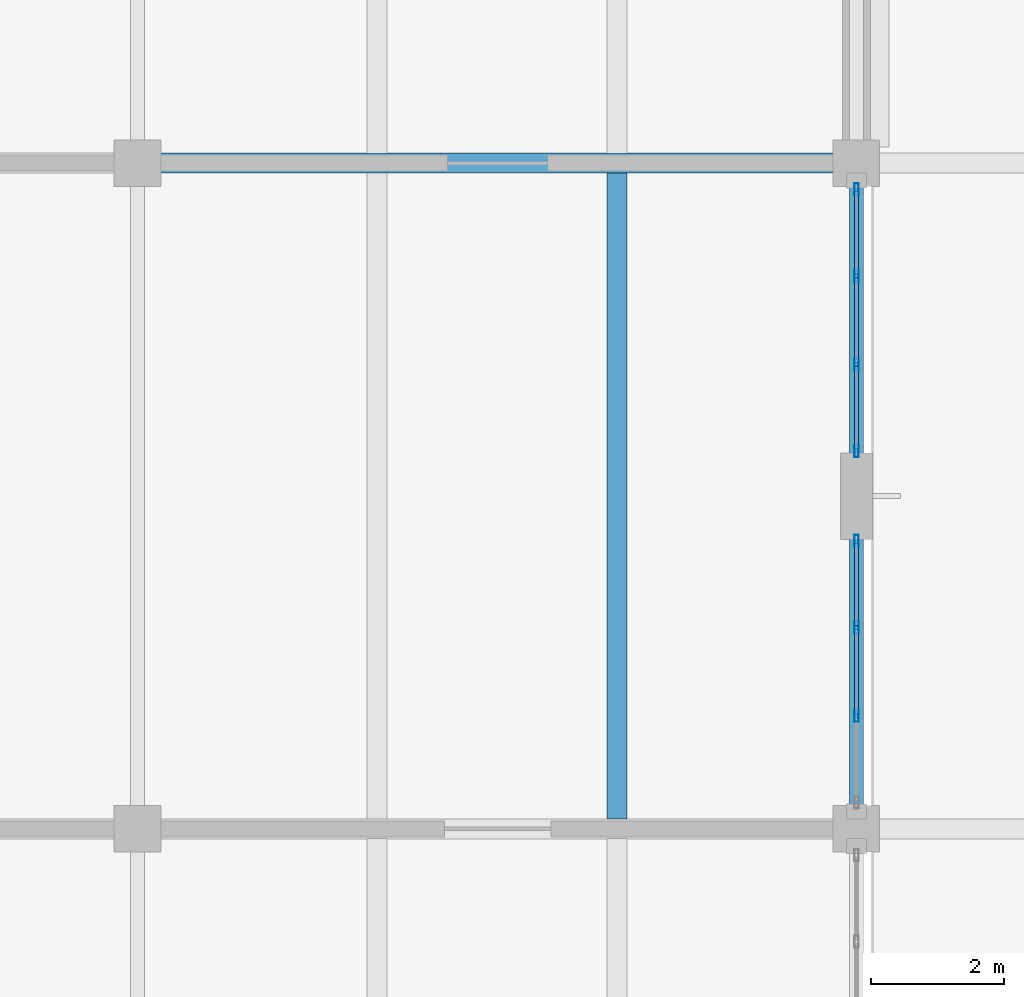
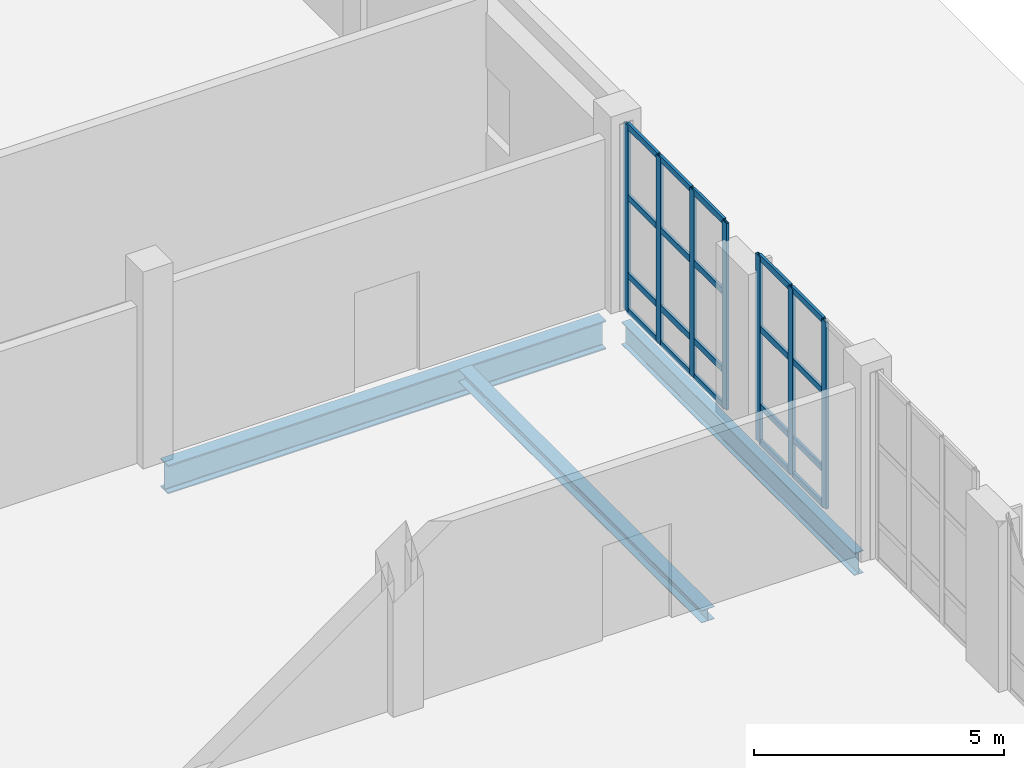
# One storey, part 54 of 92: 27 members, 3 beams, 2 elements without a shape of their own.
"""IFC4 building model written with IfcOpenShell, lengths in metres."""

from ifc_helpers import new_model, si_unit, direction, frame, origin, origin_2d, place, context, subcontext, project, spatial, hollow_rectangle, i_section, extrude, material, layer, layer_set, material_profile, profile_set, type_object, element, aggregate, save


model = new_model("IFC4")

# Units and contexts
model_context = context("Model", 3, precision=1e-05, world=origin(), true_north=direction((0.0, 1.0)))
body_context = subcontext(model_context, "Body", "Model", "MODEL_VIEW")
ifc_project = project(units=[si_unit("LENGTHUNIT", "METRE"), si_unit("AREAUNIT", "SQUARE_METRE"), si_unit("VOLUMEUNIT", "CUBIC_METRE"), si_unit("PLANEANGLEUNIT", "RADIAN"), si_unit("MASSUNIT", "GRAM", prefix="KILO")], contexts=[model_context])

# Site, building, storey
site_placement = place(None, origin())
site = spatial("IfcSite", under=ifc_project, at=site_placement, CompositionType="ELEMENT")
building_placement = place(site_placement, origin())
building = spatial("IfcBuilding", under=site, at=building_placement, Name="Tasgan Crest Museum", CompositionType="ELEMENT")
storey_placement = place(building_placement, frame((0.0, 0.0, 4.800048828125)))
storey = spatial("IfcBuildingStorey", under=building, at=storey_placement, Name="L01", CompositionType="ELEMENT", Elevation=4.800048828125)

# Beams
ifc_material_1 = material(Name="Steel S355K2", Category="steel")
ifc_material_profile_1 = material_profile(ifc_material_1, i_section(OverallWidth=0.300048828125, OverallDepth=0.699951171875, WebThickness=0.01708984375, FlangeThickness=0.031982421875, FilletRadius=0.027099609375, at=origin_2d()), Name="HEB 700")
ifc_profile_set_1 = profile_set([ifc_material_profile_1], Name="Steel S355K2")
beam_type_1 = type_object("IfcBeamType", Name="BM-G-HEB700", PredefinedType="BEAM", material=ifc_profile_set_1)
beam_1_placement = place(storey_placement, frame((140.74609375, 40.0, -0.630126953125), z_axis=(1.0, 0.0, 0.0), x_axis=(0.0, 1.0, 0.0)))
element("IfcBeam", 1, at=beam_1_placement, inside=storey, type_object=beam_type_1, Name="Girder L01 E 140.4-151.2", PredefinedType="BEAM", context=body_context, shape_type="SweptSolid", body=[
    extrude(i_section(OverallWidth=0.300048828125, OverallDepth=0.699951171875, WebThickness=0.01708984375, FlangeThickness=0.031982421875, FilletRadius=0.027099609375, at=origin_2d()), origin(), (0.0, 0.0, 1.0), 10.10791015625),
])
ifc_material_2 = material(Name="Steel S355J2", Category="steel")
ifc_material_profile_2 = material_profile(ifc_material_2, i_section(OverallWidth=0.2099609375, OverallDepth=0.550048828125, WebThickness=0.010986328125, FlangeThickness=0.01708984375, FilletRadius=0.02392578125, at=origin_2d()), Name="IPE 550")
ifc_profile_set_2 = profile_set([ifc_material_profile_2], Name="Steel S355J2")
beam_type_2 = type_object("IfcBeamType", Name="BM-G-IPE550", PredefinedType="BEAM", material=ifc_profile_set_2)
beam_2_placement = place(storey_placement, frame((151.199951171875, 30.344970703125, -0.554931640625), z_axis=(0.0, 1.0, 0.0), x_axis=(-1.0, 0.0, 0.0)))
element("IfcBeam", 2, at=beam_2_placement, inside=storey, type_object=beam_type_2, Name="Beam L01 15 30.0-40.0", PredefinedType="BEAM", context=body_context, shape_type="SweptSolid", body=[
    extrude(i_section(OverallWidth=0.2099609375, OverallDepth=0.550048828125, WebThickness=0.010986328125, FlangeThickness=0.01708984375, FilletRadius=0.02392578125, at=origin_2d()), origin(), (0.0, 0.0, 1.0), 9.31005859375),
])
ifc_material_3 = material(Name="Steel S355J2", Category="steel")
ifc_material_profile_3 = material_profile(ifc_material_3, i_section(OverallWidth=0.300048828125, OverallDepth=0.31005859375, WebThickness=0.009033203125, FlangeThickness=0.015380859375, FilletRadius=0.027099609375, at=origin_2d()), Name="HEA 320")
ifc_profile_set_3 = profile_set([ifc_material_profile_3], Name="Steel S355J2")
beam_type_3 = type_object("IfcBeamType", Name="BM-J-HEA320", PredefinedType="JOIST", material=ifc_profile_set_3)
beam_3_placement = place(storey_placement, frame((147.60009765625, 30.14501953125, -0.43505859375), z_axis=(0.0, 1.0, 0.0), x_axis=(-1.0, 0.0, 0.0)))
element("IfcBeam", 3, at=beam_3_placement, inside=storey, type_object=beam_type_3, Name="Secondary joist L01 X=147.6 Y=30.0-40.0", PredefinedType="JOIST", context=body_context, shape_type="SweptSolid", body=[
    extrude(i_section(OverallWidth=0.300048828125, OverallDepth=0.31005859375, WebThickness=0.009033203125, FlangeThickness=0.015380859375, FilletRadius=0.027099609375, at=origin_2d()), origin(), (0.0, 0.0, 1.0), 9.7099609375),
])

# Curtain wall, members
ifc_material_4 = material(Name="Triple-Glazed Aluminium Curtain Wall", Category="aluminium")
ifc_layer = layer(ifc_material_4, 0.179931640625, Name="CW-PORCH-Y")
ifc_layer_set = layer_set([ifc_layer], Name="Triple-Glazed Aluminium Curtain Wall")
curtain_wall_type = type_object("IfcCurtainWallType", Name="CW-PORCH-Y", PredefinedType="NOTDEFINED", material=ifc_layer_set)
curtain_wall_1_placement = place(storey_placement, origin())
curtain_wall_1 = element("IfcCurtainWall", 4, at=curtain_wall_1_placement, inside=storey, type_object=curtain_wall_type, Name="Curtain wall L01 055", PredefinedType="NOTDEFINED")
ifc_material_5 = material(Name="Anodised Aluminium", Category="aluminium")
ifc_material_profile_4 = material_profile(ifc_material_5, hollow_rectangle(XDim=0.06494140625, YDim=0.179931640625, WallThickness=0.0048828125, at=origin_2d()), Name="ALU MULLION 180x65x5")
ifc_profile_set_4 = profile_set([ifc_material_profile_4], Name="Anodised Aluminium")
member_type_1 = type_object("IfcMemberType", Name="CW-MULLION-180", PredefinedType="MULLION", material=ifc_profile_set_4)
member_1_placement = place(storey_placement, frame((151.199951171875, 31.695068359375, 0.0), z_axis=(0.0, 0.0, 1.0), x_axis=(-1.0, 0.0, 0.0)))
member_1 = element("IfcMember", 5, at=member_1_placement, type_object=member_type_1, Name="CW02 mullion 2", PredefinedType="MULLION", context=body_context, shape_type="SweptSolid", body=[
    extrude(hollow_rectangle(XDim=0.06494140625, YDim=0.179931640625, WallThickness=0.0048828125, at=origin_2d()), origin(), (0.0, 0.0, 1.0), 4.56005859375),
])
member_2_placement = place(storey_placement, frame((151.199951171875, 33.02490234375, 0.0), z_axis=(0.0, 0.0, 1.0), x_axis=(-1.0, 0.0, 0.0)))
member_2 = element("IfcMember", 6, at=member_2_placement, type_object=member_type_1, Name="CW02 mullion 3", PredefinedType="MULLION", context=body_context, shape_type="SweptSolid", body=[
    extrude(hollow_rectangle(XDim=0.06494140625, YDim=0.179931640625, WallThickness=0.0048828125, at=origin_2d()), origin(), (0.0, 0.0, 1.0), 4.56005859375),
])
member_3_placement = place(storey_placement, frame((151.199951171875, 34.324951171875, 0.0), z_axis=(0.0, 0.0, 1.0), x_axis=(-1.0, 0.0, 0.0)))
member_3 = element("IfcMember", 7, at=member_3_placement, type_object=member_type_1, Name="CW02 mullion 4", PredefinedType="MULLION", context=body_context, shape_type="SweptSolid", body=[
    extrude(hollow_rectangle(XDim=0.06494140625, YDim=0.179931640625, WallThickness=0.0048828125, at=origin_2d()), origin(), (0.0, 0.0, 1.0), 4.56005859375),
])

curtain_wall_2_placement = place(storey_placement, origin())
curtain_wall_2 = element("IfcCurtainWall", 8, at=curtain_wall_2_placement, inside=storey, type_object=curtain_wall_type, Name="Curtain wall L01 056", PredefinedType="NOTDEFINED")
member_4_placement = place(storey_placement, frame((151.199951171875, 35.675048828125, 0.0), z_axis=(0.0, 0.0, 1.0), x_axis=(-1.0, 0.0, 0.0)))
member_4 = element("IfcMember", 9, at=member_4_placement, type_object=member_type_1, Name="CW02 mullion 1", PredefinedType="MULLION", context=body_context, shape_type="SweptSolid", body=[
    extrude(hollow_rectangle(XDim=0.06494140625, YDim=0.179931640625, WallThickness=0.0048828125, at=origin_2d()), origin(), (0.0, 0.0, 1.0), 4.56005859375),
])
member_5_placement = place(storey_placement, frame((151.199951171875, 36.97509765625, 0.0), z_axis=(0.0, 0.0, 1.0), x_axis=(-1.0, 0.0, 0.0)))
member_5 = element("IfcMember", 10, at=member_5_placement, type_object=member_type_1, Name="CW02 mullion 2", PredefinedType="MULLION", context=body_context, shape_type="SweptSolid", body=[
    extrude(hollow_rectangle(XDim=0.06494140625, YDim=0.179931640625, WallThickness=0.0048828125, at=origin_2d()), origin(), (0.0, 0.0, 1.0), 4.56005859375),
])
member_6_placement = place(storey_placement, frame((151.199951171875, 38.304931640625, 0.0), z_axis=(0.0, 0.0, 1.0), x_axis=(-1.0, 0.0, 0.0)))
member_6 = element("IfcMember", 11, at=member_6_placement, type_object=member_type_1, Name="CW02 mullion 3", PredefinedType="MULLION", context=body_context, shape_type="SweptSolid", body=[
    extrude(hollow_rectangle(XDim=0.06494140625, YDim=0.179931640625, WallThickness=0.0048828125, at=origin_2d()), origin(), (0.0, 0.0, 1.0), 4.56005859375),
])
member_7_placement = place(storey_placement, frame((151.199951171875, 39.60498046875, 0.0), z_axis=(0.0, 0.0, 1.0), x_axis=(-1.0, 0.0, 0.0)))
member_7 = element("IfcMember", 12, at=member_7_placement, type_object=member_type_1, Name="CW02 mullion 4", PredefinedType="MULLION", context=body_context, shape_type="SweptSolid", body=[
    extrude(hollow_rectangle(XDim=0.06494140625, YDim=0.179931640625, WallThickness=0.0048828125, at=origin_2d()), origin(), (0.0, 0.0, 1.0), 4.56005859375),
])

# Member
ifc_material_6 = material(Name="Anodised Aluminium", Category="aluminium")
ifc_material_profile_5 = material_profile(ifc_material_6, hollow_rectangle(XDim=0.06005859375, YDim=0.14990234375, WallThickness=0.0048828125, at=origin_2d()), Name="ALU TRANSOM 150x60x5")
ifc_profile_set_5 = profile_set([ifc_material_profile_5], Name="Anodised Aluminium")
member_type_2 = type_object("IfcMemberType", Name="CW-TRANSOM-150", PredefinedType="USERDEFINED", material=ifc_profile_set_5)
member_8_placement = place(storey_placement, frame((151.199951171875, 31.72509765625, 0.030029296875), z_axis=(0.0, 1.0, 0.0), x_axis=(-1.0, 0.0, 0.0)))
member_8 = element("IfcMember", 13, at=member_8_placement, type_object=member_type_2, Name="CW02 transom 2.1", ObjectType="TRANSOM", PredefinedType="USERDEFINED", context=body_context, shape_type="SweptSolid", body=[
    extrude(hollow_rectangle(XDim=0.06005859375, YDim=0.14990234375, WallThickness=0.0048828125, at=origin_2d()), origin(), (0.0, 0.0, 1.0), 1.27001953125),
])

member_9_placement = place(storey_placement, frame((151.199951171875, 31.72509765625, 0.89990234375), z_axis=(0.0, 1.0, 0.0), x_axis=(-1.0, 0.0, 0.0)))
member_9 = element("IfcMember", 14, at=member_9_placement, type_object=member_type_2, Name="CW02 transom 2.2", ObjectType="TRANSOM", PredefinedType="USERDEFINED", context=body_context, shape_type="SweptSolid", body=[
    extrude(hollow_rectangle(XDim=0.06005859375, YDim=0.14990234375, WallThickness=0.0048828125, at=origin_2d()), origin(), (0.0, 0.0, 1.0), 1.27001953125),
])

member_10_placement = place(storey_placement, frame((151.199951171875, 31.72509765625, 2.800048828125), z_axis=(0.0, 1.0, 0.0), x_axis=(-1.0, 0.0, 0.0)))
member_10 = element("IfcMember", 15, at=member_10_placement, type_object=member_type_2, Name="CW02 transom 2.3", ObjectType="TRANSOM", PredefinedType="USERDEFINED", context=body_context, shape_type="SweptSolid", body=[
    extrude(hollow_rectangle(XDim=0.06005859375, YDim=0.14990234375, WallThickness=0.0048828125, at=origin_2d()), origin(), (0.0, 0.0, 1.0), 1.27001953125),
])

member_11_placement = place(storey_placement, frame((151.199951171875, 31.72509765625, 4.530029296875), z_axis=(0.0, 1.0, 0.0), x_axis=(-1.0, 0.0, 0.0)))
member_11 = element("IfcMember", 16, at=member_11_placement, type_object=member_type_2, Name="CW02 transom 2.4", ObjectType="TRANSOM", PredefinedType="USERDEFINED", context=body_context, shape_type="SweptSolid", body=[
    extrude(hollow_rectangle(XDim=0.06005859375, YDim=0.14990234375, WallThickness=0.0048828125, at=origin_2d()), origin(), (0.0, 0.0, 1.0), 1.27001953125),
])

member_12_placement = place(storey_placement, frame((151.199951171875, 33.054931640625, 0.030029296875), z_axis=(0.0, 1.0, 0.0), x_axis=(-1.0, 0.0, 0.0)))
member_12 = element("IfcMember", 17, at=member_12_placement, type_object=member_type_2, Name="CW02 transom 3.1", ObjectType="TRANSOM", PredefinedType="USERDEFINED", context=body_context, shape_type="SweptSolid", body=[
    extrude(hollow_rectangle(XDim=0.06005859375, YDim=0.14990234375, WallThickness=0.0048828125, at=origin_2d()), origin(), (0.0, 0.0, 1.0), 1.239990234375),
])

member_13_placement = place(storey_placement, frame((151.199951171875, 33.054931640625, 0.89990234375), z_axis=(0.0, 1.0, 0.0), x_axis=(-1.0, 0.0, 0.0)))
member_13 = element("IfcMember", 18, at=member_13_placement, type_object=member_type_2, Name="CW02 transom 3.2", ObjectType="TRANSOM", PredefinedType="USERDEFINED", context=body_context, shape_type="SweptSolid", body=[
    extrude(hollow_rectangle(XDim=0.06005859375, YDim=0.14990234375, WallThickness=0.0048828125, at=origin_2d()), origin(), (0.0, 0.0, 1.0), 1.239990234375),
])

member_14_placement = place(storey_placement, frame((151.199951171875, 33.054931640625, 2.800048828125), z_axis=(0.0, 1.0, 0.0), x_axis=(-1.0, 0.0, 0.0)))
member_14 = element("IfcMember", 19, at=member_14_placement, type_object=member_type_2, Name="CW02 transom 3.3", ObjectType="TRANSOM", PredefinedType="USERDEFINED", context=body_context, shape_type="SweptSolid", body=[
    extrude(hollow_rectangle(XDim=0.06005859375, YDim=0.14990234375, WallThickness=0.0048828125, at=origin_2d()), origin(), (0.0, 0.0, 1.0), 1.239990234375),
])

member_15_placement = place(storey_placement, frame((151.199951171875, 33.054931640625, 4.530029296875), z_axis=(0.0, 1.0, 0.0), x_axis=(-1.0, 0.0, 0.0)))
member_15 = element("IfcMember", 20, at=member_15_placement, type_object=member_type_2, Name="CW02 transom 3.4", ObjectType="TRANSOM", PredefinedType="USERDEFINED", context=body_context, shape_type="SweptSolid", body=[
    extrude(hollow_rectangle(XDim=0.06005859375, YDim=0.14990234375, WallThickness=0.0048828125, at=origin_2d()), origin(), (0.0, 0.0, 1.0), 1.239990234375),
])

aggregate(curtain_wall_1, [member_1, member_2, member_3, member_8, member_9, member_10, member_11, member_12, member_13, member_14, member_15])

member_16_placement = place(storey_placement, frame((151.199951171875, 35.705078125, 0.030029296875), z_axis=(0.0, 1.0, 0.0), x_axis=(-1.0, 0.0, 0.0)))
member_16 = element("IfcMember", 21, at=member_16_placement, type_object=member_type_2, Name="CW02 transom 1.1", ObjectType="TRANSOM", PredefinedType="USERDEFINED", context=body_context, shape_type="SweptSolid", body=[
    extrude(hollow_rectangle(XDim=0.06005859375, YDim=0.14990234375, WallThickness=0.0048828125, at=origin_2d()), origin(), (0.0, 0.0, 1.0), 1.239990234375),
])

member_17_placement = place(storey_placement, frame((151.199951171875, 35.705078125, 0.89990234375), z_axis=(0.0, 1.0, 0.0), x_axis=(-1.0, 0.0, 0.0)))
member_17 = element("IfcMember", 22, at=member_17_placement, type_object=member_type_2, Name="CW02 transom 1.2", ObjectType="TRANSOM", PredefinedType="USERDEFINED", context=body_context, shape_type="SweptSolid", body=[
    extrude(hollow_rectangle(XDim=0.06005859375, YDim=0.14990234375, WallThickness=0.0048828125, at=origin_2d()), origin(), (0.0, 0.0, 1.0), 1.239990234375),
])

member_18_placement = place(storey_placement, frame((151.199951171875, 35.705078125, 2.800048828125), z_axis=(0.0, 1.0, 0.0), x_axis=(-1.0, 0.0, 0.0)))
member_18 = element("IfcMember", 23, at=member_18_placement, type_object=member_type_2, Name="CW02 transom 1.3", ObjectType="TRANSOM", PredefinedType="USERDEFINED", context=body_context, shape_type="SweptSolid", body=[
    extrude(hollow_rectangle(XDim=0.06005859375, YDim=0.14990234375, WallThickness=0.0048828125, at=origin_2d()), origin(), (0.0, 0.0, 1.0), 1.239990234375),
])

member_19_placement = place(storey_placement, frame((151.199951171875, 35.705078125, 4.530029296875), z_axis=(0.0, 1.0, 0.0), x_axis=(-1.0, 0.0, 0.0)))
member_19 = element("IfcMember", 24, at=member_19_placement, type_object=member_type_2, Name="CW02 transom 1.4", ObjectType="TRANSOM", PredefinedType="USERDEFINED", context=body_context, shape_type="SweptSolid", body=[
    extrude(hollow_rectangle(XDim=0.06005859375, YDim=0.14990234375, WallThickness=0.0048828125, at=origin_2d()), origin(), (0.0, 0.0, 1.0), 1.239990234375),
])

member_20_placement = place(storey_placement, frame((151.199951171875, 37.0048828125, 0.030029296875), z_axis=(0.0, 1.0, 0.0), x_axis=(-1.0, 0.0, 0.0)))
member_20 = element("IfcMember", 25, at=member_20_placement, type_object=member_type_2, Name="CW02 transom 2.1", ObjectType="TRANSOM", PredefinedType="USERDEFINED", context=body_context, shape_type="SweptSolid", body=[
    extrude(hollow_rectangle(XDim=0.06005859375, YDim=0.14990234375, WallThickness=0.0048828125, at=origin_2d()), origin(), (0.0, 0.0, 1.0), 1.27001953125),
])

member_21_placement = place(storey_placement, frame((151.199951171875, 37.0048828125, 0.89990234375), z_axis=(0.0, 1.0, 0.0), x_axis=(-1.0, 0.0, 0.0)))
member_21 = element("IfcMember", 26, at=member_21_placement, type_object=member_type_2, Name="CW02 transom 2.2", ObjectType="TRANSOM", PredefinedType="USERDEFINED", context=body_context, shape_type="SweptSolid", body=[
    extrude(hollow_rectangle(XDim=0.06005859375, YDim=0.14990234375, WallThickness=0.0048828125, at=origin_2d()), origin(), (0.0, 0.0, 1.0), 1.27001953125),
])

member_22_placement = place(storey_placement, frame((151.199951171875, 37.0048828125, 2.800048828125), z_axis=(0.0, 1.0, 0.0), x_axis=(-1.0, 0.0, 0.0)))
member_22 = element("IfcMember", 27, at=member_22_placement, type_object=member_type_2, Name="CW02 transom 2.3", ObjectType="TRANSOM", PredefinedType="USERDEFINED", context=body_context, shape_type="SweptSolid", body=[
    extrude(hollow_rectangle(XDim=0.06005859375, YDim=0.14990234375, WallThickness=0.0048828125, at=origin_2d()), origin(), (0.0, 0.0, 1.0), 1.27001953125),
])

member_23_placement = place(storey_placement, frame((151.199951171875, 37.0048828125, 4.530029296875), z_axis=(0.0, 1.0, 0.0), x_axis=(-1.0, 0.0, 0.0)))
member_23 = element("IfcMember", 28, at=member_23_placement, type_object=member_type_2, Name="CW02 transom 2.4", ObjectType="TRANSOM", PredefinedType="USERDEFINED", context=body_context, shape_type="SweptSolid", body=[
    extrude(hollow_rectangle(XDim=0.06005859375, YDim=0.14990234375, WallThickness=0.0048828125, at=origin_2d()), origin(), (0.0, 0.0, 1.0), 1.27001953125),
])

member_24_placement = place(storey_placement, frame((151.199951171875, 38.3349609375, 0.030029296875), z_axis=(0.0, 1.0, 0.0), x_axis=(-1.0, 0.0, 0.0)))
member_24 = element("IfcMember", 29, at=member_24_placement, type_object=member_type_2, Name="CW02 transom 3.1", ObjectType="TRANSOM", PredefinedType="USERDEFINED", context=body_context, shape_type="SweptSolid", body=[
    extrude(hollow_rectangle(XDim=0.06005859375, YDim=0.14990234375, WallThickness=0.0048828125, at=origin_2d()), origin(), (0.0, 0.0, 1.0), 1.239990234375),
])

member_25_placement = place(storey_placement, frame((151.199951171875, 38.3349609375, 0.89990234375), z_axis=(0.0, 1.0, 0.0), x_axis=(-1.0, 0.0, 0.0)))
member_25 = element("IfcMember", 30, at=member_25_placement, type_object=member_type_2, Name="CW02 transom 3.2", ObjectType="TRANSOM", PredefinedType="USERDEFINED", context=body_context, shape_type="SweptSolid", body=[
    extrude(hollow_rectangle(XDim=0.06005859375, YDim=0.14990234375, WallThickness=0.0048828125, at=origin_2d()), origin(), (0.0, 0.0, 1.0), 1.239990234375),
])

member_26_placement = place(storey_placement, frame((151.199951171875, 38.3349609375, 2.800048828125), z_axis=(0.0, 1.0, 0.0), x_axis=(-1.0, 0.0, 0.0)))
member_26 = element("IfcMember", 31, at=member_26_placement, type_object=member_type_2, Name="CW02 transom 3.3", ObjectType="TRANSOM", PredefinedType="USERDEFINED", context=body_context, shape_type="SweptSolid", body=[
    extrude(hollow_rectangle(XDim=0.06005859375, YDim=0.14990234375, WallThickness=0.0048828125, at=origin_2d()), origin(), (0.0, 0.0, 1.0), 1.239990234375),
])

member_27_placement = place(storey_placement, frame((151.199951171875, 38.3349609375, 4.530029296875), z_axis=(0.0, 1.0, 0.0), x_axis=(-1.0, 0.0, 0.0)))
member_27 = element("IfcMember", 32, at=member_27_placement, type_object=member_type_2, Name="CW02 transom 3.4", ObjectType="TRANSOM", PredefinedType="USERDEFINED", context=body_context, shape_type="SweptSolid", body=[
    extrude(hollow_rectangle(XDim=0.06005859375, YDim=0.14990234375, WallThickness=0.0048828125, at=origin_2d()), origin(), (0.0, 0.0, 1.0), 1.239990234375),
])

aggregate(curtain_wall_2, [member_4, member_5, member_6, member_7, member_16, member_17, member_18, member_19, member_20, member_21, member_22, member_23, member_24, member_25, member_26, member_27])

save(model, "model.ifc")
